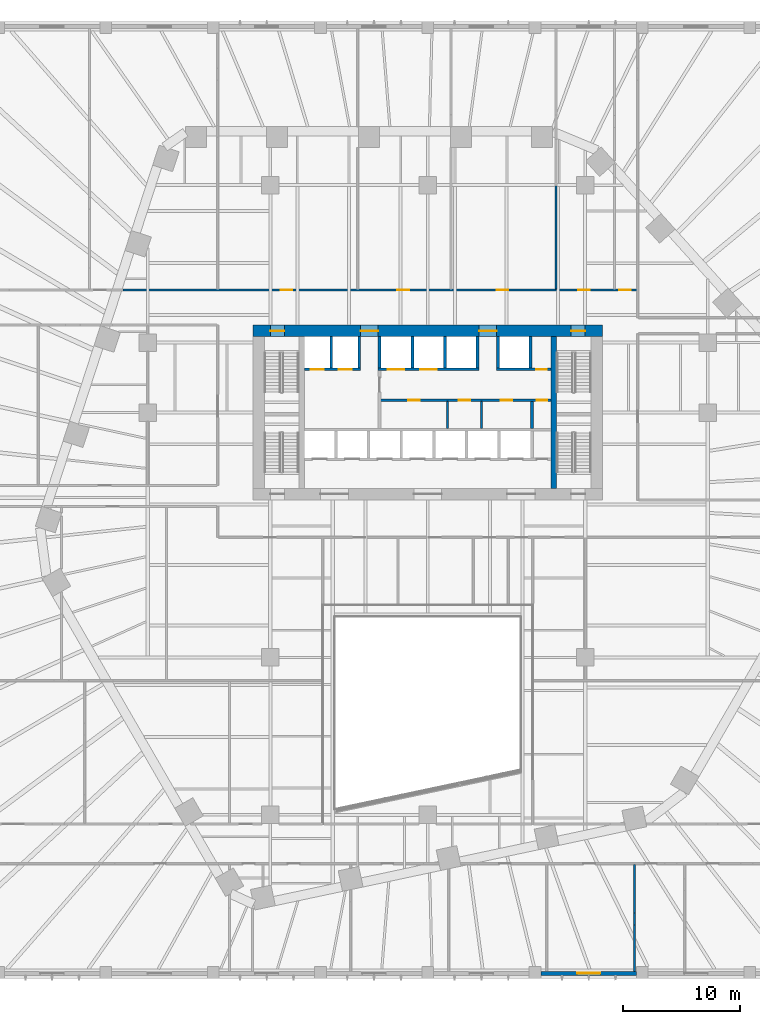
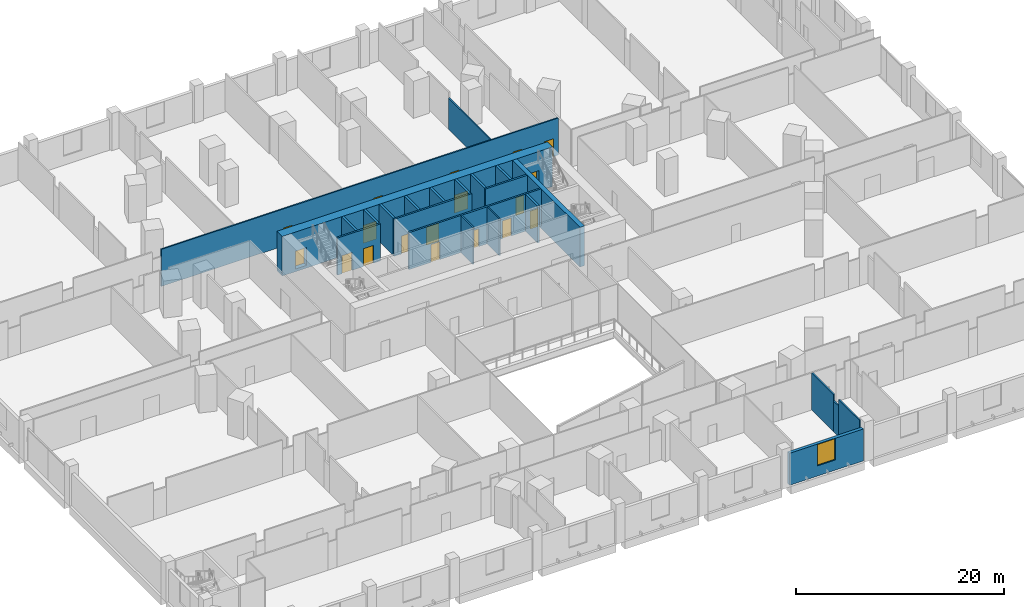
# One storey, part 18 of 33: 23 walls, 18 doors, 1 window, 19 openings.
"""IFC4 building model written with IfcOpenShell, lengths in metres."""

from ifc_helpers import new_model, si_unit, direction, frame, frame_2d, origin, place, context, subcontext, project, spatial, rectangle, extrude, material, layer, layer_set, type_object, element, fill, save


model = new_model("IFC4")

# Units and contexts
model_context = context("Model", 3, precision=1e-05, world=origin(), true_north=direction((0.0, 1.0)))
body_context = subcontext(model_context, "Body", "Model", "MODEL_VIEW")
ifc_project = project(units=[si_unit("LENGTHUNIT", "METRE"), si_unit("AREAUNIT", "SQUARE_METRE"), si_unit("VOLUMEUNIT", "CUBIC_METRE"), si_unit("PLANEANGLEUNIT", "RADIAN"), si_unit("MASSUNIT", "GRAM", prefix="KILO")], contexts=[model_context])

# Site, building, storey
site_placement = place(None, origin())
site = spatial("IfcSite", under=ifc_project, at=site_placement, CompositionType="ELEMENT")
building_placement = place(site_placement, origin())
building = spatial("IfcBuilding", under=site, at=building_placement, Name="Isthmus Gate Tower", CompositionType="ELEMENT")
storey_placement = place(building_placement, frame((0.0, 0.0, 31.5)))
storey = spatial("IfcBuildingStorey", under=building, at=storey_placement, Name="L05", CompositionType="ELEMENT", Elevation=31.5)

# Wall, opening, window
ifc_material_1 = material(Name="Precast concrete C40/50, limestone-faced", Category="masonry")
ifc_layer_1 = layer(ifc_material_1, 0.35009765625)
ifc_layer_set_1 = layer_set([ifc_layer_1], Name="PODIUM CLADDING WALL 350")
wall_type_1 = type_object("IfcWallType", Name="PODIUM CLADDING WALL 350", PredefinedType="SOLIDWALL", material=ifc_layer_set_1)
wall_1_placement = place(storey_placement, frame((9.699951171875, -40.574951171875, -0.300048828125), z_axis=(0.0, 0.0, 1.0), x_axis=(1.0, 0.0, 0.0)))
wall_1 = element("IfcWall", 1, at=wall_1_placement, inside=storey, type_object=wall_type_1, Name="PODIUM WALL", PredefinedType="SOLIDWALL", context=body_context, shape_type="SweptSolid", body=[
    extrude(rectangle(XDim=8.199951171875, YDim=0.35009765625, at=frame_2d((4.10009765625, 0.0))), origin(), (0.0, 0.0, 1.0), 3.75),
])
opening_1_placement = place(wall_1_placement, frame((3.10009765625, 0.0, 1.199951171875)))
opening_1 = element("IfcOpeningElement", 2, at=opening_1_placement, cuts=wall_1, Name="Opening W097", PredefinedType="OPENING", context=body_context, shape_type="SweptSolid", body=[
    extrude(rectangle(XDim=2.0, YDim=2.5, at=frame_2d((1.0, 1.25))), frame((0.0, 0.18505859375, 0.0), z_axis=(0.0, -1.0, 0.0), x_axis=(1.0, 0.0, 0.0)), (0.0, 0.0, 1.0), 0.3701171875),
])
ifc_material_2 = material(Name="Aluminium, pale champagne anodised, laminated glass", Category="aluminium")
window_type = type_object("IfcWindowType", Name="PODIUM SLOT WINDOW 2000 X 2500", PartitioningType="SINGLE_PANEL", PredefinedType="WINDOW", material=ifc_material_2)
window_placement = place(opening_1_placement, origin())
window = element("IfcWindow", 3, at=window_placement, inside=storey, type_object=window_type, Name="SLOT WINDOW", OverallHeight=2.5, OverallWidth=2.0, PartitioningType="SINGLE_PANEL", PredefinedType="WINDOW", context=body_context, shape_type="SweptSolid", body=[
    extrude(rectangle(XDim=2.0, YDim=2.5, at=frame_2d((1.0, 1.25))), frame((0.0, 0.030029296875, 0.0), z_axis=(0.0, -1.0, 0.0), x_axis=(1.0, 0.0, 0.0)), (0.0, 0.0, 1.0), 0.06005859375),
])
fill(opening_1, window)

# Wall, openings, doors
ifc_material_3 = material(Name="Gypsum board on cold-formed steel studs", Category="steel")
ifc_layer_2 = layer(ifc_material_3, 0.14990234375)
ifc_layer_set_2 = layer_set([ifc_layer_2])
wall_type_2 = type_object("IfcWallType", Name="Partition 150 gypsum board on steel studs", PredefinedType="PARTITIONING", material=ifc_layer_set_2)
wall_2_placement = place(storey_placement, frame((-26.142333984375, 18.0, 0.0), z_axis=(0.0, 0.0, 1.0), x_axis=(1.0, 0.0, 0.0)))
wall_2 = element("IfcWall", 4, at=wall_2_placement, inside=storey, type_object=wall_type_2, Name="Partition", PredefinedType="PARTITIONING", context=body_context, shape_type="SweptSolid", body=[
    extrude(rectangle(XDim=44.0673828125, YDim=0.14990234375, at=frame_2d((22.03369140625, 0.0))), origin(), (0.0, 0.0, 1.0), 4.35009765625),
])
opening_2_placement = place(wall_2_placement, frame((13.54248046875, 0.0, 0.0)))
opening_2 = element("IfcOpeningElement", 5, at=opening_2_placement, cuts=wall_2, Name="Opening DP05-30", PredefinedType="OPENING", context=body_context, shape_type="SweptSolid", body=[
    extrude(rectangle(XDim=1.0, YDim=2.10009765625, at=frame_2d((0.5, 1.050048828125))), frame((0.0, 0.0849609375, 0.0), z_axis=(0.0, -1.0, 0.0), x_axis=(1.0, 0.0, 0.0)), (0.0, 0.0, 1.0), 0.169921875),
])
opening_3_placement = place(wall_2_placement, frame((23.54248046875, 0.0, 0.0)))
opening_3 = element("IfcOpeningElement", 6, at=opening_3_placement, cuts=wall_2, Name="Opening DP05-31", PredefinedType="OPENING", context=body_context, shape_type="SweptSolid", body=[
    extrude(rectangle(XDim=1.0, YDim=2.10009765625, at=frame_2d((0.5, 1.050048828125))), frame((0.0, 0.0849609375, 0.0), z_axis=(0.0, -1.0, 0.0), x_axis=(1.0, 0.0, 0.0)), (0.0, 0.0, 1.0), 0.169921875),
])
opening_4_placement = place(wall_2_placement, frame((32.04248046875, 0.0, 0.0)))
opening_4 = element("IfcOpeningElement", 7, at=opening_4_placement, cuts=wall_2, Name="Opening DP05-32", PredefinedType="OPENING", context=body_context, shape_type="SweptSolid", body=[
    extrude(rectangle(XDim=1.0, YDim=2.10009765625, at=frame_2d((0.5, 1.050048828125))), frame((0.0, 0.0849609375, 0.0), z_axis=(0.0, -1.0, 0.0), x_axis=(1.0, 0.0, 0.0)), (0.0, 0.0, 1.0), 0.169921875),
])
opening_5_placement = place(wall_2_placement, frame((39.04248046875, 0.0, 0.0)))
opening_5 = element("IfcOpeningElement", 8, at=opening_5_placement, cuts=wall_2, Name="Opening DP05-33", PredefinedType="OPENING", context=body_context, shape_type="SweptSolid", body=[
    extrude(rectangle(XDim=1.0, YDim=2.10009765625, at=frame_2d((0.5, 1.050048828125))), frame((0.0, 0.0849609375, 0.0), z_axis=(0.0, -1.0, 0.0), x_axis=(1.0, 0.0, 0.0)), (0.0, 0.0, 1.0), 0.169921875),
])
opening_6_placement = place(wall_2_placement, frame((42.54248046875, 0.0, 0.0)))
opening_6 = element("IfcOpeningElement", 9, at=opening_6_placement, cuts=wall_2, Name="Opening DP05-34", PredefinedType="OPENING", context=body_context, shape_type="SweptSolid", body=[
    extrude(rectangle(XDim=1.0, YDim=2.10009765625, at=frame_2d((0.5, 1.050048828125))), frame((0.0, 0.0849609375, 0.0), z_axis=(0.0, -1.0, 0.0), x_axis=(1.0, 0.0, 0.0)), (0.0, 0.0, 1.0), 0.169921875),
])
ifc_material_4 = material(Name="Hollow metal frame with solid-core timber leaf", Category="wood")
door_type_1 = type_object("IfcDoorType", Name="Single swing door 1000 x 2100", OperationType="SINGLE_SWING_LEFT", PredefinedType="DOOR", material=ifc_material_4)
door_1_placement = place(opening_2_placement, origin())
door_1 = element("IfcDoor", 10, at=door_1_placement, inside=storey, type_object=door_type_1, Name="Door DP05-30", OperationType="SINGLE_SWING_LEFT", OverallHeight=2.10009765625, OverallWidth=1.0, PredefinedType="DOOR", context=body_context, shape_type="SweptSolid", body=[
    extrude(rectangle(XDim=1.0, YDim=2.10009765625, at=frame_2d((0.5, 1.050048828125))), frame((0.0, 0.02490234375, 0.0), z_axis=(0.0, -1.0, 0.0), x_axis=(1.0, 0.0, 0.0)), (0.0, 0.0, 1.0), 0.050048828125),
])
fill(opening_2, door_1)
door_2_placement = place(opening_3_placement, origin())
door_2 = element("IfcDoor", 11, at=door_2_placement, inside=storey, type_object=door_type_1, Name="Door DP05-31", OperationType="SINGLE_SWING_LEFT", OverallHeight=2.10009765625, OverallWidth=1.0, PredefinedType="DOOR", context=body_context, shape_type="SweptSolid", body=[
    extrude(rectangle(XDim=1.0, YDim=2.10009765625, at=frame_2d((0.5, 1.050048828125))), frame((0.0, 0.02490234375, 0.0), z_axis=(0.0, -1.0, 0.0), x_axis=(1.0, 0.0, 0.0)), (0.0, 0.0, 1.0), 0.050048828125),
])
fill(opening_3, door_2)
door_3_placement = place(opening_4_placement, origin())
door_3 = element("IfcDoor", 12, at=door_3_placement, inside=storey, type_object=door_type_1, Name="Door DP05-32", OperationType="SINGLE_SWING_LEFT", OverallHeight=2.10009765625, OverallWidth=1.0, PredefinedType="DOOR", context=body_context, shape_type="SweptSolid", body=[
    extrude(rectangle(XDim=1.0, YDim=2.10009765625, at=frame_2d((0.5, 1.050048828125))), frame((0.0, 0.02490234375, 0.0), z_axis=(0.0, -1.0, 0.0), x_axis=(1.0, 0.0, 0.0)), (0.0, 0.0, 1.0), 0.050048828125),
])
fill(opening_4, door_3)
door_4_placement = place(opening_5_placement, origin())
door_4 = element("IfcDoor", 13, at=door_4_placement, inside=storey, type_object=door_type_1, Name="Door DP05-33", OperationType="SINGLE_SWING_LEFT", OverallHeight=2.10009765625, OverallWidth=1.0, PredefinedType="DOOR", context=body_context, shape_type="SweptSolid", body=[
    extrude(rectangle(XDim=1.0, YDim=2.10009765625, at=frame_2d((0.5, 1.050048828125))), frame((0.0, 0.02490234375, 0.0), z_axis=(0.0, -1.0, 0.0), x_axis=(1.0, 0.0, 0.0)), (0.0, 0.0, 1.0), 0.050048828125),
])
fill(opening_5, door_4)
door_5_placement = place(opening_6_placement, origin())
door_5 = element("IfcDoor", 14, at=door_5_placement, inside=storey, type_object=door_type_1, Name="Door DP05-34", OperationType="SINGLE_SWING_LEFT", OverallHeight=2.10009765625, OverallWidth=1.0, PredefinedType="DOOR", context=body_context, shape_type="SweptSolid", body=[
    extrude(rectangle(XDim=1.0, YDim=2.10009765625, at=frame_2d((0.5, 1.050048828125))), frame((0.0, 0.02490234375, 0.0), z_axis=(0.0, -1.0, 0.0), x_axis=(1.0, 0.0, 0.0)), (0.0, 0.0, 1.0), 0.050048828125),
])
fill(opening_6, door_5)

# Walls
wall_3_placement = place(storey_placement, frame((11.0, 18.074951171875, 0.0), z_axis=(0.0, 0.0, 1.0), x_axis=(0.0, 1.0, 0.0)))
element("IfcWall", 15, at=wall_3_placement, inside=storey, type_object=wall_type_2, Name="Partition", PredefinedType="PARTITIONING", context=body_context, shape_type="SweptSolid", body=[
    extrude(rectangle(XDim=8.8681640625, YDim=0.14990234375, at=frame_2d((4.43408203125, 0.0))), origin(), (0.0, 0.0, 1.0), 3.670654296875),
])
wall_4_placement = place(storey_placement, frame((17.714111328125, -40.39990234375, 0.0), z_axis=(0.0, 0.0, 1.0), x_axis=(0.0, 1.0, 0.0)))
element("IfcWall", 16, at=wall_4_placement, inside=storey, type_object=wall_type_2, Name="Partition", PredefinedType="PARTITIONING", context=body_context, shape_type="SweptSolid", body=[
    extrude(rectangle(XDim=3.9794921875, YDim=0.14990234375, at=frame_2d((1.98974609375, 0.0))), origin(), (0.0, 0.0, 1.0), 4.35009765625),
])
wall_5_placement = place(storey_placement, frame((17.714111328125, -36.42041015625, 0.0), z_axis=(0.0, 0.0, 1.0), x_axis=(0.0, 1.0, 0.0)))
element("IfcWall", 17, at=wall_5_placement, inside=storey, type_object=wall_type_2, Name="Partition", PredefinedType="PARTITIONING", context=body_context, shape_type="SweptSolid", body=[
    extrude(rectangle(XDim=1.0, YDim=0.14990234375, at=frame_2d((0.5, 0.0))), origin(), (0.0, 0.0, 1.0), 3.6005859375),
])
wall_6_placement = place(storey_placement, frame((17.714111328125, -35.42041015625, 0.0), z_axis=(0.0, 0.0, 1.0), x_axis=(0.0, 1.0, 0.0)))
element("IfcWall", 18, at=wall_6_placement, inside=storey, type_object=wall_type_2, Name="Partition", PredefinedType="PARTITIONING", context=body_context, shape_type="SweptSolid", body=[
    extrude(rectangle(XDim=4.16650390625, YDim=0.14990234375, at=frame_2d((2.083251953125, 0.0))), origin(), (0.0, 0.0, 1.0), 4.35009765625),
])
ifc_material_5 = material(Name="Concrete f'c 70 MPa", Category="concrete")
ifc_layer_3 = layer(ifc_material_5, 0.5)
ifc_layer_set_3 = layer_set([ifc_layer_3], Name="RC CORE SPINE WALL 500 F'C 70")
wall_type_3 = type_object("IfcWallType", Name="RC CORE SPINE WALL 500 F'C 70", PredefinedType="SOLIDWALL", material=ifc_layer_set_3)
wall_7_placement = place(storey_placement, frame((10.800048828125, 1.0, -0.300048828125), z_axis=(0.0, 0.0, 1.0), x_axis=(0.0, 1.0, 0.0)))
element("IfcWall", 19, at=wall_7_placement, inside=storey, type_object=wall_type_3, Name="str-corewall-L05-SPE", PredefinedType="SOLIDWALL", context=body_context, shape_type="SweptSolid", body=[
    extrude(rectangle(XDim=13.0, YDim=0.5, at=frame_2d((6.5, 0.0))), origin(), (0.0, 0.0, 1.0), 4.650146484375),
])

# Wall, openings, doors
ifc_material_6 = material(Name="Concrete f'c 70 MPa", Category="concrete")
ifc_layer_4 = layer(ifc_material_6, 1.0)
ifc_layer_set_4 = layer_set([ifc_layer_4], Name="RC CORE WALL 1000 F'C 70")
wall_type_4 = type_object("IfcWallType", Name="RC CORE WALL 1000 F'C 70", PredefinedType="SOLIDWALL", material=ifc_layer_set_4)
wall_8_placement = place(storey_placement, frame((-15.0, 14.5, -0.300048828125), z_axis=(0.0, 0.0, 1.0), x_axis=(1.0, 0.0, 0.0)))
wall_8 = element("IfcWall", 20, at=wall_8_placement, inside=storey, type_object=wall_type_4, Name="str-corewall-L05-N", PredefinedType="SOLIDWALL", context=body_context, shape_type="SweptSolid", body=[
    extrude(rectangle(XDim=30.0, YDim=1.0, at=frame_2d((15.0, 0.0))), origin(), (0.0, 0.0, 1.0), 4.650146484375),
])
opening_7_placement = place(wall_8_placement, frame((9.25, 0.0, 0.300048828125)))
opening_7 = element("IfcOpeningElement", 21, at=opening_7_placement, cuts=wall_8, Name="Opening DC-A02-11", PredefinedType="OPENING", context=body_context, shape_type="SweptSolid", body=[
    extrude(rectangle(XDim=1.5, YDim=2.10009765625, at=frame_2d((0.75, 1.050048828125))), frame((0.0, 0.510009765625, 0.0), z_axis=(0.0, -1.0, 0.0), x_axis=(1.0, 0.0, 0.0)), (0.0, 0.0, 1.0), 1.02001953125),
])
opening_8_placement = place(wall_8_placement, frame((19.39990234375, 0.0, 0.300048828125)))
opening_8 = element("IfcOpeningElement", 22, at=opening_8_placement, cuts=wall_8, Name="Opening DC-A02-12", PredefinedType="OPENING", context=body_context, shape_type="SweptSolid", body=[
    extrude(rectangle(XDim=1.5, YDim=2.10009765625, at=frame_2d((0.75, 1.050048828125))), frame((0.0, 0.510009765625, 0.0), z_axis=(0.0, -1.0, 0.0), x_axis=(1.0, 0.0, 0.0)), (0.0, 0.0, 1.0), 1.02001953125),
])
opening_9_placement = place(wall_8_placement, frame((1.5, 0.0, 0.300048828125)))
opening_9 = element("IfcOpeningElement", 23, at=opening_9_placement, cuts=wall_8, Name="Opening DC-A02-13", PredefinedType="OPENING", context=body_context, shape_type="SweptSolid", body=[
    extrude(rectangle(XDim=1.199951171875, YDim=2.10009765625, at=frame_2d((0.60009765625, 1.050048828125))), frame((0.0, 0.510009765625, 0.0), z_axis=(0.0, -1.0, 0.0), x_axis=(1.0, 0.0, 0.0)), (0.0, 0.0, 1.0), 1.02001953125),
])
opening_10_placement = place(wall_8_placement, frame((27.300048828125, 0.0, 0.300048828125)))
opening_10 = element("IfcOpeningElement", 24, at=opening_10_placement, cuts=wall_8, Name="Opening DC-A02-14", PredefinedType="OPENING", context=body_context, shape_type="SweptSolid", body=[
    extrude(rectangle(XDim=1.199951171875, YDim=2.10009765625, at=frame_2d((0.60009765625, 1.050048828125))), frame((0.0, 0.510009765625, 0.0), z_axis=(0.0, -1.0, 0.0), x_axis=(1.0, 0.0, 0.0)), (0.0, 0.0, 1.0), 1.02001953125),
])
ifc_material_7 = material(Name="Steel door leaf, fire-rated", Category="steel")
door_type_2 = type_object("IfcDoorType", Name="LOBBY FIRE DOOR 1500 X 2100 60 MIN", OperationType="DOUBLE_DOOR_SINGLE_SWING", PredefinedType="DOOR", material=ifc_material_7)
door_6_placement = place(opening_8_placement, origin())
door_6 = element("IfcDoor", 25, at=door_6_placement, inside=storey, type_object=door_type_2, Name="Lobby Door PN-E", OperationType="DOUBLE_DOOR_SINGLE_SWING", OverallHeight=2.10009765625, OverallWidth=1.5, PredefinedType="DOOR", context=body_context, shape_type="SweptSolid", body=[
    extrude(rectangle(XDim=1.5, YDim=2.10009765625, at=frame_2d((0.75, 1.050048828125))), frame((0.0, 0.02490234375, 0.0), z_axis=(0.0, -1.0, 0.0), x_axis=(1.0, 0.0, 0.0)), (0.0, 0.0, 1.0), 0.050048828125),
])
fill(opening_8, door_6)
ifc_material_8 = material(Name="Steel door leaf, fire-rated", Category="steel")
door_type_3 = type_object("IfcDoorType", Name="LOBBY FIRE DOOR 1500 X 2100 90 MIN", OperationType="DOUBLE_DOOR_SINGLE_SWING", PredefinedType="DOOR", material=ifc_material_8)
door_7_placement = place(opening_7_placement, origin())
door_7 = element("IfcDoor", 26, at=door_7_placement, inside=storey, type_object=door_type_3, Name="Lobby Door PN-W", OperationType="DOUBLE_DOOR_SINGLE_SWING", OverallHeight=2.10009765625, OverallWidth=1.5, PredefinedType="DOOR", context=body_context, shape_type="SweptSolid", body=[
    extrude(rectangle(XDim=1.5, YDim=2.10009765625, at=frame_2d((0.75, 1.050048828125))), frame((0.0, 0.02490234375, 0.0), z_axis=(0.0, -1.0, 0.0), x_axis=(1.0, 0.0, 0.0)), (0.0, 0.0, 1.0), 0.050048828125),
])
fill(opening_7, door_7)
ifc_material_9 = material(Name="Steel door leaf, fire-rated", Category="steel")
door_type_4 = type_object("IfcDoorType", Name="STAIR FIRE DOOR 1200 X 2100 90 MIN", OperationType="SINGLE_SWING_LEFT", PredefinedType="DOOR", material=ifc_material_9)
door_8_placement = place(opening_9_placement, origin())
door_8 = element("IfcDoor", 27, at=door_8_placement, inside=storey, type_object=door_type_4, Name="Exit Stair 1 Door", OperationType="SINGLE_SWING_RIGHT", OverallHeight=2.10009765625, OverallWidth=1.199951171875, PredefinedType="DOOR", context=body_context, shape_type="SweptSolid", body=[
    extrude(rectangle(XDim=1.199951171875, YDim=2.10009765625, at=frame_2d((0.60009765625, 1.050048828125))), frame((0.0, 0.02490234375, 0.0), z_axis=(0.0, -1.0, 0.0), x_axis=(1.0, 0.0, 0.0)), (0.0, 0.0, 1.0), 0.050048828125),
])
fill(opening_9, door_8)
door_9_placement = place(opening_10_placement, origin())
door_9 = element("IfcDoor", 28, at=door_9_placement, inside=storey, type_object=door_type_4, Name="Exit Stair 2 Door", OperationType="SINGLE_SWING_LEFT", OverallHeight=2.10009765625, OverallWidth=1.199951171875, PredefinedType="DOOR", context=body_context, shape_type="SweptSolid", body=[
    extrude(rectangle(XDim=1.199951171875, YDim=2.10009765625, at=frame_2d((0.60009765625, 1.050048828125))), frame((0.0, 0.02490234375, 0.0), z_axis=(0.0, -1.0, 0.0), x_axis=(1.0, 0.0, 0.0)), (0.0, 0.0, 1.0), 0.050048828125),
])
fill(opening_10, door_9)

# Walls
ifc_material_10 = material(Name="Gypsum board on steel studs, fire-rated", Category="steel")
ifc_layer_5 = layer(ifc_material_10, 0.14990234375)
ifc_layer_set_5 = layer_set([ifc_layer_5], Name="ROOM PARTITION 150 60 MIN")
wall_type_5 = type_object("IfcWallType", Name="ROOM PARTITION 150 60 MIN", PredefinedType="PARTITIONING", material=ifc_layer_set_5)
for number, where, z_axis, x_axis, name in (
    (29, (1.699951171875, 6.14990234375, 0.0), (0.0, 0.0, 1.0), (0.0, 1.0, 0.0), "L05 ROOM PARTITION 150 60 MIN"),
    (30, (4.60009765625, 6.14990234375, 0.0), (0.0, 0.0, 1.0), (0.0, 1.0, 0.0), "L05 ROOM PARTITION 150 60 MIN"),
):
    element("IfcWall", number, at=place(storey_placement, frame(where, z_axis=z_axis, x_axis=x_axis)), inside=storey, type_object=wall_type_5, Name=name, PredefinedType="PARTITIONING", context=body_context, shape_type="SweptSolid", body=[
        extrude(rectangle(XDim=2.300048828125, YDim=0.14990234375, at=frame_2d((1.14990234375, 0.0))), origin(), (0.0, 0.0, 1.0), 4.35009765625),
    ])

# Wall, openings, doors
ifc_material_11 = material(Name="Fire-rated blockwork masonry, 15 MPa", Category="masonry")
ifc_layer_6 = layer(ifc_material_11, 0.199951171875)
ifc_layer_set_6 = layer_set([ifc_layer_6], Name="SHAFT FRONT WALL 200 120 MIN")
wall_type_6 = type_object("IfcWallType", Name="SHAFT FRONT WALL 200 120 MIN", PredefinedType="PARTITIONING", material=ifc_layer_set_6)
wall_9_placement = place(storey_placement, frame((-4.125, 8.550048828125, 0.0), z_axis=(0.0, 0.0, 1.0), x_axis=(1.0, 0.0, 0.0)))
wall_9 = element("IfcWall", 31, at=wall_9_placement, inside=storey, type_object=wall_type_6, Name="L05 SHAFT FRONT WALL 200 120 MIN", PredefinedType="PARTITIONING", context=body_context, shape_type="SweptSolid", body=[
    extrude(rectangle(XDim=14.675048828125, YDim=0.199951171875, at=frame_2d((7.33740234375, 0.0))), origin(), (0.0, 0.0, 1.0), 4.35009765625),
])
opening_11_placement = place(wall_9_placement, frame((2.4375, 0.0, 0.0)))
opening_11 = element("IfcOpeningElement", 32, at=opening_11_placement, cuts=wall_9, Name="Opening DC-A02-03", PredefinedType="OPENING", context=body_context, shape_type="SweptSolid", body=[
    extrude(rectangle(XDim=1.0, YDim=2.10009765625, at=frame_2d((0.5, 1.050048828125))), frame((0.0, 0.10986328125, 0.0), z_axis=(0.0, -1.0, 0.0), x_axis=(1.0, 0.0, 0.0)), (0.0, 0.0, 1.0), 0.219970703125),
])
opening_12_placement = place(wall_9_placement, frame((6.77490234375, 0.0, 0.0)))
opening_12 = element("IfcOpeningElement", 33, at=opening_12_placement, cuts=wall_9, Name="Opening DC-A02-04", PredefinedType="OPENING", context=body_context, shape_type="SweptSolid", body=[
    extrude(rectangle(XDim=1.0, YDim=2.10009765625, at=frame_2d((0.5, 1.050048828125))), frame((0.0, 0.10986328125, 0.0), z_axis=(0.0, -1.0, 0.0), x_axis=(1.0, 0.0, 0.0)), (0.0, 0.0, 1.0), 0.219970703125),
])
opening_13_placement = place(wall_9_placement, frame((10.362548828125, 0.0, 0.0)))
opening_13 = element("IfcOpeningElement", 34, at=opening_13_placement, cuts=wall_9, Name="Opening DC-A02-05", PredefinedType="OPENING", context=body_context, shape_type="SweptSolid", body=[
    extrude(rectangle(XDim=1.0, YDim=2.10009765625, at=frame_2d((0.5, 1.050048828125))), frame((0.0, 0.10986328125, 0.0), z_axis=(0.0, -1.0, 0.0), x_axis=(1.0, 0.0, 0.0)), (0.0, 0.0, 1.0), 0.219970703125),
])
opening_14_placement = place(wall_9_placement, frame((13.47509765625, 0.0, 0.0)))
opening_14 = element("IfcOpeningElement", 35, at=opening_14_placement, cuts=wall_9, Name="Opening DC-A02-06", PredefinedType="OPENING", context=body_context, shape_type="SweptSolid", body=[
    extrude(rectangle(XDim=0.89990234375, YDim=2.10009765625, at=frame_2d((0.449951171875, 1.050048828125))), frame((0.0, 0.10986328125, 0.0), z_axis=(0.0, -1.0, 0.0), x_axis=(1.0, 0.0, 0.0)), (0.0, 0.0, 1.0), 0.219970703125),
])
ifc_material_12 = material(Name="Steel door leaf, fire-rated", Category="steel")
door_type_5 = type_object("IfcDoorType", Name="FIRE DOOR 1000 X 2100 60 MIN", OperationType="SINGLE_SWING_LEFT", PredefinedType="DOOR", material=ifc_material_12)
door_10_placement = place(opening_11_placement, origin())
door_10 = element("IfcDoor", 36, at=door_10_placement, inside=storey, type_object=door_type_5, Name="WC Women Door", OperationType="SINGLE_SWING_LEFT", OverallHeight=2.10009765625, OverallWidth=1.0, PredefinedType="DOOR", context=body_context, shape_type="SweptSolid", body=[
    extrude(rectangle(XDim=1.0, YDim=2.10009765625, at=frame_2d((0.5, 1.050048828125))), frame((0.0, 0.02490234375, 0.0), z_axis=(0.0, -1.0, 0.0), x_axis=(1.0, 0.0, 0.0)), (0.0, 0.0, 1.0), 0.050048828125),
])
fill(opening_11, door_10)
door_11_placement = place(opening_12_placement, origin())
door_11 = element("IfcDoor", 37, at=door_11_placement, inside=storey, type_object=door_type_5, Name="Accessible WC Door", OperationType="SINGLE_SWING_RIGHT", OverallHeight=2.10009765625, OverallWidth=1.0, PredefinedType="DOOR", context=body_context, shape_type="SweptSolid", body=[
    extrude(rectangle(XDim=1.0, YDim=2.10009765625, at=frame_2d((0.5, 1.050048828125))), frame((0.0, 0.02490234375, 0.0), z_axis=(0.0, -1.0, 0.0), x_axis=(1.0, 0.0, 0.0)), (0.0, 0.0, 1.0), 0.050048828125),
])
fill(opening_12, door_11)
door_12_placement = place(opening_13_placement, origin())
door_12 = element("IfcDoor", 38, at=door_12_placement, inside=storey, type_object=door_type_5, Name="WC Men Door", OperationType="SINGLE_SWING_LEFT", OverallHeight=2.10009765625, OverallWidth=1.0, PredefinedType="DOOR", context=body_context, shape_type="SweptSolid", body=[
    extrude(rectangle(XDim=1.0, YDim=2.10009765625, at=frame_2d((0.5, 1.050048828125))), frame((0.0, 0.02490234375, 0.0), z_axis=(0.0, -1.0, 0.0), x_axis=(1.0, 0.0, 0.0)), (0.0, 0.0, 1.0), 0.050048828125),
])
fill(opening_13, door_12)
ifc_material_13 = material(Name="Steel door leaf, fire-rated", Category="steel")
door_type_6 = type_object("IfcDoorType", Name="RISER FIRE DOOR 900 X 2100 90 MIN", OperationType="SINGLE_SWING_LEFT", PredefinedType="DOOR", material=ifc_material_13)
door_13_placement = place(opening_14_placement, origin())
door_13 = element("IfcDoor", 39, at=door_13_placement, inside=storey, type_object=door_type_6, Name="Riser Door", OperationType="SINGLE_SWING_RIGHT", OverallHeight=2.10009765625, OverallWidth=0.89990234375, PredefinedType="DOOR", context=body_context, shape_type="SweptSolid", body=[
    extrude(rectangle(XDim=0.89990234375, YDim=2.10009765625, at=frame_2d((0.449951171875, 1.050048828125))), frame((0.0, 0.02490234375, 0.0), z_axis=(0.0, -1.0, 0.0), x_axis=(1.0, 0.0, 0.0)), (0.0, 0.0, 1.0), 0.050048828125),
])
fill(opening_14, door_13)

wall_10_placement = place(storey_placement, frame((-10.550048828125, 11.199951171875, 0.0), z_axis=(0.0, 0.0, 1.0), x_axis=(1.0, 0.0, 0.0)))
wall_10 = element("IfcWall", 40, at=wall_10_placement, inside=storey, type_object=wall_type_6, Name="L05 SHAFT FRONT WALL 200 120 MIN", PredefinedType="PARTITIONING", context=body_context, shape_type="SweptSolid", body=[
    extrude(rectangle(XDim=4.800048828125, YDim=0.199951171875, at=frame_2d((2.39990234375, 0.0))), origin(), (0.0, 0.0, 1.0), 4.35009765625),
])
opening_15_placement = place(wall_10_placement, frame((0.52490234375, 0.0, 0.0)))
opening_15 = element("IfcOpeningElement", 41, at=opening_15_placement, cuts=wall_10, Name="Opening LD-LF1", PredefinedType="OPENING", context=body_context, shape_type="SweptSolid", body=[
    extrude(rectangle(XDim=1.10009765625, YDim=2.10009765625, at=frame_2d((0.550048828125, 1.050048828125))), frame((0.0, 0.10986328125, 0.0), z_axis=(0.0, -1.0, 0.0), x_axis=(1.0, 0.0, 0.0)), (0.0, 0.0, 1.0), 0.219970703125),
])
opening_16_placement = place(wall_10_placement, frame((2.925048828125, 0.0, 0.0)))
opening_16 = element("IfcOpeningElement", 42, at=opening_16_placement, cuts=wall_10, Name="Opening LD-LF2", PredefinedType="OPENING", context=body_context, shape_type="SweptSolid", body=[
    extrude(rectangle(XDim=1.10009765625, YDim=2.10009765625, at=frame_2d((0.550048828125, 1.050048828125))), frame((0.0, 0.10986328125, 0.0), z_axis=(0.0, -1.0, 0.0), x_axis=(1.0, 0.0, 0.0)), (0.0, 0.0, 1.0), 0.219970703125),
])
ifc_material_14 = material(Name="Stainless steel sliding leaf", Category="steel")
door_type_7 = type_object("IfcDoorType", Name="LIFT LANDING FIRE DOOR 1100 X 2100 90 MIN", OperationType="DOUBLE_DOOR_SLIDING", PredefinedType="DOOR", material=ifc_material_14)
door_14_placement = place(opening_15_placement, origin())
door_14 = element("IfcDoor", 43, at=door_14_placement, inside=storey, type_object=door_type_7, Name="Lift Landing Door LF1", OperationType="DOUBLE_DOOR_SLIDING", OverallHeight=2.10009765625, OverallWidth=1.10009765625, PredefinedType="DOOR", context=body_context, shape_type="SweptSolid", body=[
    extrude(rectangle(XDim=1.10009765625, YDim=2.10009765625, at=frame_2d((0.550048828125, 1.050048828125))), frame((0.0, 0.02490234375, 0.0), z_axis=(0.0, -1.0, 0.0), x_axis=(1.0, 0.0, 0.0)), (0.0, 0.0, 1.0), 0.050048828125),
])
fill(opening_15, door_14)
door_15_placement = place(opening_16_placement, origin())
door_15 = element("IfcDoor", 44, at=door_15_placement, inside=storey, type_object=door_type_7, Name="Lift Landing Door LF2", OperationType="DOUBLE_DOOR_SLIDING", OverallHeight=2.10009765625, OverallWidth=1.10009765625, PredefinedType="DOOR", context=body_context, shape_type="SweptSolid", body=[
    extrude(rectangle(XDim=1.10009765625, YDim=2.10009765625, at=frame_2d((0.550048828125, 1.050048828125))), frame((0.0, 0.02490234375, 0.0), z_axis=(0.0, -1.0, 0.0), x_axis=(1.0, 0.0, 0.0)), (0.0, 0.0, 1.0), 0.050048828125),
])
fill(opening_16, door_15)

wall_11_placement = place(storey_placement, frame((-4.25, 11.199951171875, 0.0), z_axis=(0.0, 0.0, 1.0), x_axis=(1.0, 0.0, 0.0)))
wall_11 = element("IfcWall", 45, at=wall_11_placement, inside=storey, type_object=wall_type_6, Name="L05 SHAFT FRONT WALL 200 120 MIN", PredefinedType="PARTITIONING", context=body_context, shape_type="SweptSolid", body=[
    extrude(rectangle(XDim=8.64990234375, YDim=0.199951171875, at=frame_2d((4.324951171875, 0.0))), origin(), (0.0, 0.0, 1.0), 4.35009765625),
])
opening_17_placement = place(wall_11_placement, frame((0.824951171875, 0.0, 0.0)))
opening_17 = element("IfcOpeningElement", 46, at=opening_17_placement, cuts=wall_11, Name="Opening LD-LV1", PredefinedType="OPENING", context=body_context, shape_type="SweptSolid", body=[
    extrude(rectangle(XDim=1.39990234375, YDim=2.10009765625, at=frame_2d((0.699951171875, 1.050048828125))), frame((0.0, 0.10986328125, 0.0), z_axis=(0.0, -1.0, 0.0), x_axis=(1.0, 0.0, 0.0)), (0.0, 0.0, 1.0), 0.219970703125),
])
opening_18_placement = place(wall_11_placement, frame((3.625, 0.0, 0.0)))
opening_18 = element("IfcOpeningElement", 47, at=opening_18_placement, cuts=wall_11, Name="Opening LD-LV2", PredefinedType="OPENING", context=body_context, shape_type="SweptSolid", body=[
    extrude(rectangle(XDim=1.39990234375, YDim=2.10009765625, at=frame_2d((0.699951171875, 1.050048828125))), frame((0.0, 0.10986328125, 0.0), z_axis=(0.0, -1.0, 0.0), x_axis=(1.0, 0.0, 0.0)), (0.0, 0.0, 1.0), 0.219970703125),
])
ifc_material_15 = material(Name="Stainless steel sliding leaf", Category="steel")
door_type_8 = type_object("IfcDoorType", Name="LIFT LANDING FIRE DOOR 1400 X 2100 90 MIN", OperationType="DOUBLE_DOOR_SLIDING", PredefinedType="DOOR", material=ifc_material_15)
door_16_placement = place(opening_17_placement, origin())
door_16 = element("IfcDoor", 48, at=door_16_placement, inside=storey, type_object=door_type_8, Name="Lift Landing Door LV1", OperationType="DOUBLE_DOOR_SLIDING", OverallHeight=2.10009765625, OverallWidth=1.39990234375, PredefinedType="DOOR", context=body_context, shape_type="SweptSolid", body=[
    extrude(rectangle(XDim=1.39990234375, YDim=2.10009765625, at=frame_2d((0.699951171875, 1.050048828125))), frame((0.0, 0.02490234375, 0.0), z_axis=(0.0, -1.0, 0.0), x_axis=(1.0, 0.0, 0.0)), (0.0, 0.0, 1.0), 0.050048828125),
])
fill(opening_17, door_16)
door_17_placement = place(opening_18_placement, origin())
door_17 = element("IfcDoor", 49, at=door_17_placement, inside=storey, type_object=door_type_8, Name="Lift Landing Door LV2", OperationType="DOUBLE_DOOR_SLIDING", OverallHeight=2.10009765625, OverallWidth=1.39990234375, PredefinedType="DOOR", context=body_context, shape_type="SweptSolid", body=[
    extrude(rectangle(XDim=1.39990234375, YDim=2.10009765625, at=frame_2d((0.699951171875, 1.050048828125))), frame((0.0, 0.02490234375, 0.0), z_axis=(0.0, -1.0, 0.0), x_axis=(1.0, 0.0, 0.0)), (0.0, 0.0, 1.0), 0.050048828125),
])
fill(opening_18, door_17)

# Wall, opening, door
wall_12_placement = place(storey_placement, frame((5.89990234375, 11.199951171875, 0.0), z_axis=(0.0, 0.0, 1.0), x_axis=(1.0, 0.0, 0.0)))
wall_12 = element("IfcWall", 50, at=wall_12_placement, inside=storey, type_object=wall_type_6, Name="L05 SHAFT FRONT WALL 200 120 MIN", PredefinedType="PARTITIONING", context=body_context, shape_type="SweptSolid", body=[
    extrude(rectangle(XDim=4.650146484375, YDim=0.199951171875, at=frame_2d((2.3251953125, 0.0))), origin(), (0.0, 0.0, 1.0), 4.35009765625),
])
opening_19_placement = place(wall_12_placement, frame((3.39990234375, 0.0, 0.0)))
opening_19 = element("IfcOpeningElement", 51, at=opening_19_placement, cuts=wall_12, Name="Opening DC-A02-07", PredefinedType="OPENING", context=body_context, shape_type="SweptSolid", body=[
    extrude(rectangle(XDim=0.89990234375, YDim=2.10009765625, at=frame_2d((0.449951171875, 1.050048828125))), frame((0.0, 0.10986328125, 0.0), z_axis=(0.0, -1.0, 0.0), x_axis=(1.0, 0.0, 0.0)), (0.0, 0.0, 1.0), 0.219970703125),
])
door_18_placement = place(opening_19_placement, origin())
door_18 = element("IfcDoor", 52, at=door_18_placement, inside=storey, type_object=door_type_6, Name="Riser Door", OperationType="SINGLE_SWING_LEFT", OverallHeight=2.10009765625, OverallWidth=0.89990234375, PredefinedType="DOOR", context=body_context, shape_type="SweptSolid", body=[
    extrude(rectangle(XDim=0.89990234375, YDim=2.10009765625, at=frame_2d((0.449951171875, 1.050048828125))), frame((0.0, 0.02490234375, 0.0), z_axis=(0.0, -1.0, 0.0), x_axis=(1.0, 0.0, 0.0)), (0.0, 0.0, 1.0), 0.050048828125),
])
fill(opening_19, door_18)

# Walls
ifc_material_16 = material(Name="Fire-rated blockwork masonry, 15 MPa", Category="masonry")
ifc_layer_7 = layer(ifc_material_16, 0.25)
ifc_layer_set_7 = layer_set([ifc_layer_7], Name="SHAFT WALL 250 120 MIN")
wall_type_7 = type_object("IfcWallType", Name="SHAFT WALL 250 120 MIN", PredefinedType="PARTITIONING", material=ifc_layer_set_7)
wall_13_placement = place(storey_placement, frame((8.925048828125, 6.14990234375, 0.0), z_axis=(0.0, 0.0, 1.0), x_axis=(0.0, 1.0, 0.0)))
element("IfcWall", 53, at=wall_13_placement, inside=storey, type_object=wall_type_7, Name="L05 SHAFT WALL 250 120 MIN", PredefinedType="PARTITIONING", context=body_context, shape_type="SweptSolid", body=[
    extrude(rectangle(XDim=2.300048828125, YDim=0.25, at=frame_2d((1.14990234375, 0.0))), origin(), (0.0, 0.0, 1.0), 4.35009765625),
])
for number, where, z_axis, x_axis, name in (
    (54, (-8.27490234375, 11.300048828125, 0.0), (0.0, 0.0, 1.0), (0.0, 1.0, 0.0), "L05 SHAFT WALL 250 120 MIN"),
    (55, (-5.875, 11.300048828125, 0.0), (0.0, 0.0, 1.0), (0.0, 1.0, 0.0), "L05 SHAFT WALL 250 120 MIN"),
    (56, (-4.125, 11.300048828125, 0.0), (0.0, 0.0, 1.0), (0.0, 1.0, 0.0), "L05 SHAFT WALL 250 120 MIN"),
    (57, (-1.324951171875, 11.300048828125, 0.0), (0.0, 0.0, 1.0), (0.0, 1.0, 0.0), "L05 SHAFT WALL 250 120 MIN"),
    (58, (1.47509765625, 11.300048828125, 0.0), (0.0, 0.0, 1.0), (0.0, 1.0, 0.0), "L05 SHAFT WALL 250 120 MIN"),
    (59, (4.27490234375, 11.300048828125, 0.0), (0.0, 0.0, 1.0), (0.0, 1.0, 0.0), "L05 SHAFT WALL 250 120 MIN"),
    (60, (6.02490234375, 11.300048828125, 0.0), (0.0, 0.0, 1.0), (0.0, 1.0, 0.0), "L05 SHAFT WALL 250 120 MIN"),
    (61, (8.824951171875, 11.300048828125, 0.0), (0.0, 0.0, 1.0), (0.0, 1.0, 0.0), "L05 SHAFT WALL 250 120 MIN"),
):
    element("IfcWall", number, at=place(storey_placement, frame(where, z_axis=z_axis, x_axis=x_axis)), inside=storey, type_object=wall_type_7, Name=name, PredefinedType="PARTITIONING", context=body_context, shape_type="SweptSolid", body=[
        extrude(rectangle(XDim=2.699951171875, YDim=0.25, at=frame_2d((1.35009765625, 0.0))), origin(), (0.0, 0.0, 1.0), 4.35009765625),
    ])

save(model, "model.ifc")
